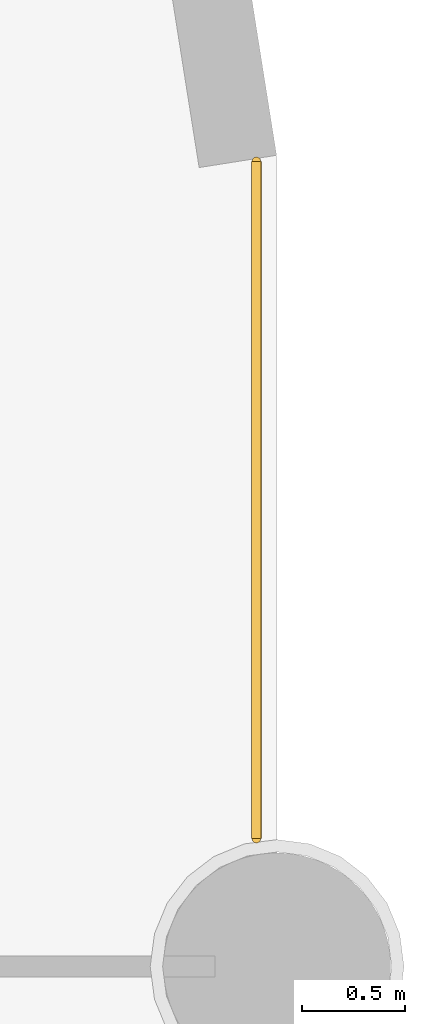
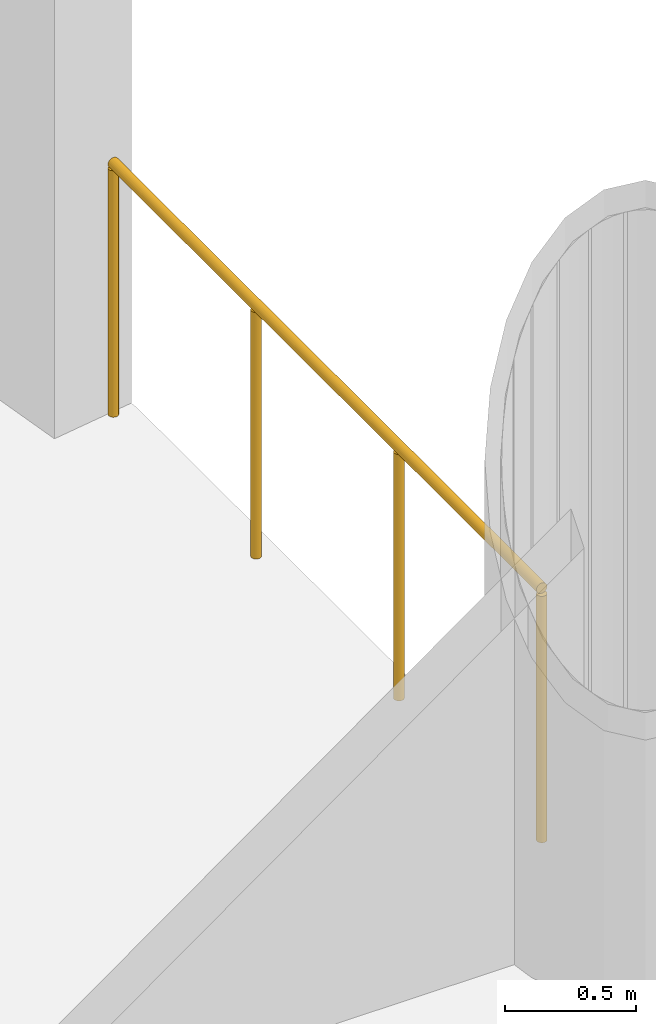
# One storey, part 24 of 24: 1 railing.
"""IFC4 building model written with IfcOpenShell, lengths in metres."""

import ifcopenshell
import ifcopenshell.guid

model = None  # the IFC model being written
_history = None  # IfcOwnerHistory: only IFC2X3 demands one
_inside = {}  # id of a spatial element -> (the spatial element, [elements in it])
_under = {}  # id of a project, library or spatial element -> (it, [spatial elements below it])
_declared = {}  # id of a project -> (the project, [libraries it declares])
_typed = {}  # id of a type object -> (the type object, [elements of that type])
_made_of = {}  # id of a material, layer set ... -> (it, [elements and type objects made of it])


def new_model(schema):
    """Start an empty IFC model of exactly this schema.

    Asked for "IFC4X3", IfcOpenShell would pick the latest addendum, in which some entities
    have other attributes; the version numbers below select the first issue.
    IFC2X3 requires an IfcOwnerHistory on every rooted entity: one is made here for all.
    """
    global model, _history
    if schema == "IFC4X3":
        model = ifcopenshell.file(schema_version=(4, 3, 0, 0))
    else:
        model = ifcopenshell.file(schema=schema)
    _inside.clear()
    _under.clear()
    _declared.clear()
    _typed.clear()
    _made_of.clear()
    _history = None
    if model.schema == "IFC2X3":
        org = make("IfcOrganization", Name="unknown")
        user = make(
            "IfcPersonAndOrganization",
            ThePerson=make("IfcPerson", FamilyName="unknown"),
            TheOrganization=org,
        )
        app = make(
            "IfcApplication",
            ApplicationDeveloper=org,
            Version="unknown",
            ApplicationFullName="unknown",
            ApplicationIdentifier="unknown",
        )
        _history = make(
            "IfcOwnerHistory",
            OwningUser=user,
            OwningApplication=app,
            ChangeAction="ADDED",
            CreationDate=0,
        )
    return model


def make(cls, **values):
    """One entity of the class cls with the attributes given. An attribute that is None is left unset."""
    return model.create_entity(
        cls, **{name: value for name, value in values.items() if value is not None}
    )


def rooted(cls, **values):
    """An entity with a GlobalId (a new one), such as an element, a storey or a relation."""
    return make(cls, GlobalId=ifcopenshell.guid.new(), OwnerHistory=_history, **values)


def si_unit(unit_type, name, prefix=None):
    """IfcSIUnit, for example si_unit("LENGTHUNIT", "METRE", prefix="MILLI")."""
    return make("IfcSIUnit", UnitType=unit_type, Prefix=prefix, Name=name)


def assignment(units):
    """IfcUnitAssignment: the units of a project."""
    return None if units is None else make("IfcUnitAssignment", Units=units)


def point(xyz):
    """IfcCartesianPoint."""
    return None if xyz is None else make("IfcCartesianPoint", Coordinates=xyz)


def direction(xyz):
    """IfcDirection."""
    return None if xyz is None else make("IfcDirection", DirectionRatios=xyz)


def frame(location, z_axis=None, x_axis=None):
    """IfcAxis2Placement3D, a coordinate frame: its origin and axes. An axis left out is left unset."""
    return make(
        "IfcAxis2Placement3D",
        Location=point(location),
        Axis=direction(z_axis),
        RefDirection=direction(x_axis),
    )


def frame_2d(location, x_axis=None):
    """IfcAxis2Placement2D, a coordinate frame in the plane: its origin and x axis."""
    return make(
        "IfcAxis2Placement2D", Location=point(location), RefDirection=direction(x_axis)
    )


def origin():
    """The frame at (0, 0, 0) with its axes left unset."""
    return frame((0.0, 0.0, 0.0))


def origin_2d():
    """The frame at (0, 0) in the plane with its x axis left unset."""
    return frame_2d((0.0, 0.0))


def place(relative_to, where):
    """IfcLocalPlacement: puts the frame where relative to a parent placement (None: the world)."""
    return make(
        "IfcLocalPlacement", PlacementRelTo=relative_to, RelativePlacement=where
    )


def context(
    kind, dimensions, precision=None, world=None, true_north=None, identifier=None
):
    """IfcGeometricRepresentationContext, for example the 3D "Model" context."""
    return make(
        "IfcGeometricRepresentationContext",
        ContextIdentifier=identifier,
        ContextType=kind,
        CoordinateSpaceDimension=dimensions,
        Precision=precision,
        WorldCoordinateSystem=world,
        TrueNorth=true_north,
    )


def subcontext(parent, identifier, kind, view, scale=None):
    """IfcGeometricRepresentationSubContext, for example "Body" below "Model"."""
    return make(
        "IfcGeometricRepresentationSubContext",
        ContextIdentifier=identifier,
        ContextType=kind,
        ParentContext=parent,
        TargetScale=scale,
        TargetView=view,
    )


def project(units=None, contexts=None):
    """IfcProject with its units and contexts."""
    return rooted(
        "IfcProject",
        Name="project",
        RepresentationContexts=contexts,
        UnitsInContext=assignment(units),
    )


def spatial(cls, under=None, at=None, **own):
    """A site, building, storey or space (cls), placed at a placement, below another one or the project."""
    s = rooted(cls, ObjectPlacement=at, **own)
    if under is not None:
        _under.setdefault(under.id(), (under, []))[1].append(s)
    return s


def profile(cls, at=None, kind="AREA", **sizes):
    """A parametric profile (cls). Its sizes go by their IFC names, for example OverallWidth=200.0."""
    return make(cls, ProfileType=kind, Position=at, **sizes)


def circle(**sizes):
    """IfcCircleProfileDef."""
    return profile("IfcCircleProfileDef", **sizes)


def extrude(swept, where, along, depth):
    """IfcExtrudedAreaSolid: the profile swept, set in the frame where, extruded along a direction by depth."""
    return make(
        "IfcExtrudedAreaSolid",
        SweptArea=swept,
        Position=where,
        ExtrudedDirection=direction(along),
        Depth=depth,
    )


def shape(context_of_items, identifier, shape_type, items):
    """IfcShapeRepresentation: the items that make up one representation, for example the "Body"."""
    return make(
        "IfcShapeRepresentation",
        ContextOfItems=context_of_items,
        RepresentationIdentifier=identifier,
        RepresentationType=shape_type,
        Items=items,
    )


def material(Name=None, Category=None):
    """IfcMaterial."""
    return make("IfcMaterial", Name=Name, Category=Category)


def made_of(thing, what):
    """Note that an element or type object is made of a material, layer set ...; save() writes the relation."""
    if what is not None:
        _made_of.setdefault(what.id(), (what, []))[1].append(thing)
    return thing


def type_object(cls, material=None, **own):
    """A type object (cls), such as IfcWallType, which elements share."""
    return made_of(rooted(cls, **own), material)


def element(
    cls,
    number,
    at=None,
    inside=None,
    cuts=None,
    type_object=None,
    material=None,
    context=None,
    identifier="Body",
    shape_type=None,
    held_by="IfcProductDefinitionShape",
    body=None,
    shapes=None,
    **own,
):
    """One element of the class cls, such as IfcWall. Its Tag is "e" and its number.

    at: its placement. inside: the storey or other place that contains it. cuts: it is an
    opening in that element (IfcRelVoidsElement). A single representation is given by context,
    identifier, shape_type and body (its items); several are given by shapes. held_by: the class
    of the entity that holds the representations. save() writes the other relations.
    """
    e = rooted(cls, Tag="e%d" % number, ObjectPlacement=at, **own)
    if body is not None:
        shapes = [shape(context, identifier, shape_type, body)]
    if shapes is not None:
        e.Representation = make(held_by, Representations=shapes)
    if inside is not None:
        _inside.setdefault(inside.id(), (inside, []))[1].append(e)
    if cuts is not None:
        rooted(
            "IfcRelVoidsElement", RelatingBuildingElement=cuts, RelatedOpeningElement=e
        )
    if type_object is not None:
        _typed.setdefault(type_object.id(), (type_object, []))[1].append(e)
    return made_of(e, material)


def aggregate(whole, parts):
    """IfcRelAggregates: a whole, such as a stair, and the parts it consists of."""
    return rooted("IfcRelAggregates", RelatingObject=whole, RelatedObjects=parts)


def save(model, path):
    """Write the relations noted so far, then the file.

    IfcRelAggregates (storeys below a building ...), IfcRelContainedInSpatialStructure (elements
    in a storey), IfcRelDefinesByType, IfcRelAssociatesMaterial and IfcRelDeclares: one each for
    every whole, place, type object, material and project.
    """
    for whole, parts in _under.values():
        aggregate(whole, parts)
    for where, things in _inside.values():
        rooted(
            "IfcRelContainedInSpatialStructure",
            RelatedElements=things,
            RelatingStructure=where,
        )
    for kind, things in _typed.values():
        rooted("IfcRelDefinesByType", RelatedObjects=things, RelatingType=kind)
    for what, things in _made_of.values():
        rooted("IfcRelAssociatesMaterial", RelatedObjects=things, RelatingMaterial=what)
    for by, libraries in _declared.values():
        rooted("IfcRelDeclares", RelatingContext=by, RelatedDefinitions=libraries)
    model.write(path)


model = new_model("IFC4")

# Units and contexts
model_context = context("Model", 3, precision=1e-05, world=origin(), true_north=direction((0.0, 1.0)))
body_context = subcontext(model_context, "Body", "Model", "MODEL_VIEW")
ifc_project = project(units=[si_unit("LENGTHUNIT", "METRE"), si_unit("AREAUNIT", "SQUARE_METRE"), si_unit("VOLUMEUNIT", "CUBIC_METRE"), si_unit("PLANEANGLEUNIT", "RADIAN"), si_unit("MASSUNIT", "GRAM", prefix="KILO")], contexts=[model_context])

# Site, building, storey
site_placement = place(None, origin())
site = spatial("IfcSite", under=ifc_project, at=site_placement, CompositionType="ELEMENT")
building_placement = place(site_placement, origin())
building = spatial("IfcBuilding", under=site, at=building_placement, Name="Ludao Terraces", CompositionType="ELEMENT")
storey_placement = place(building_placement, frame((0.0, 0.0, 6.0)))
storey = spatial("IfcBuildingStorey", under=building, at=storey_placement, Name="L01", CompositionType="ELEMENT", Elevation=6.0)

# Railing
ifc_material = material(Name="Steel Q235", Category="steel")
railing_type = type_object("IfcRailingType", Name="ENV Open-edge guard 1200", PredefinedType="GUARDRAIL", material=ifc_material)
railing_placement = place(storey_placement, frame((123.89990234375, 81.219970703125, 0.0)))
element("IfcRailing", 1, at=railing_placement, inside=storey, type_object=railing_type, Name="Guard L01 E8", PredefinedType="GUARDRAIL", context=body_context, shape_type="SweptSolid", body=[
    extrude(circle(Radius=0.02392578125, at=origin_2d()), frame((0.0, 0.0, 1.17578125), z_axis=(0.0, 1.0, 0.0), x_axis=(-1.0, 0.0, 0.0)), (0.0, 0.0, 1.0), 3.280029296875),
    extrude(circle(Radius=0.02099609375, at=origin_2d()), origin(), (0.0, 0.0, 1.0), 1.15185546875),
    extrude(circle(Radius=0.02099609375, at=origin_2d()), frame((0.0, 1.09326171875, 0.0)), (0.0, 0.0, 1.0), 1.15185546875),
    extrude(circle(Radius=0.02099609375, at=origin_2d()), frame((0.0, 2.186767578125, 0.0)), (0.0, 0.0, 1.0), 1.15185546875),
    extrude(circle(Radius=0.02099609375, at=origin_2d()), frame((0.0, 3.280029296875, 0.0)), (0.0, 0.0, 1.0), 1.15185546875),
])

save(model, "model.ifc")
